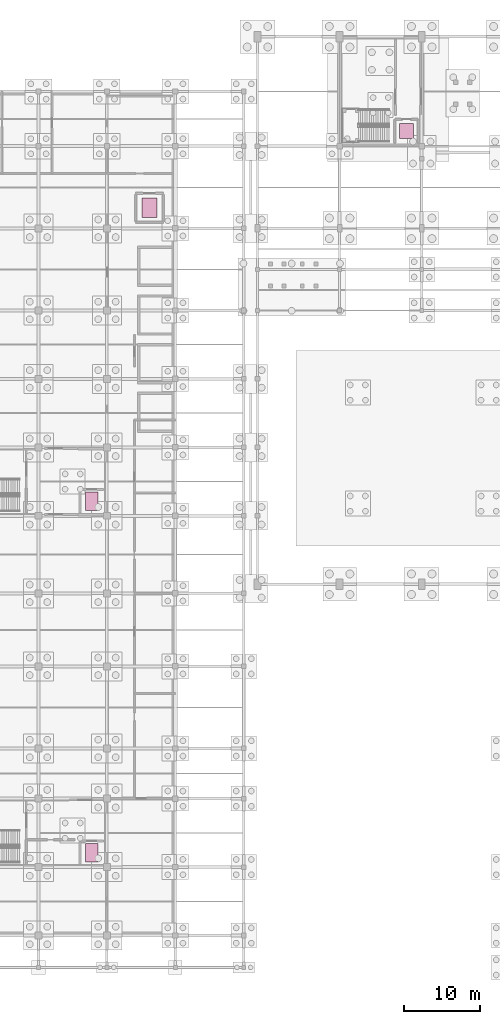
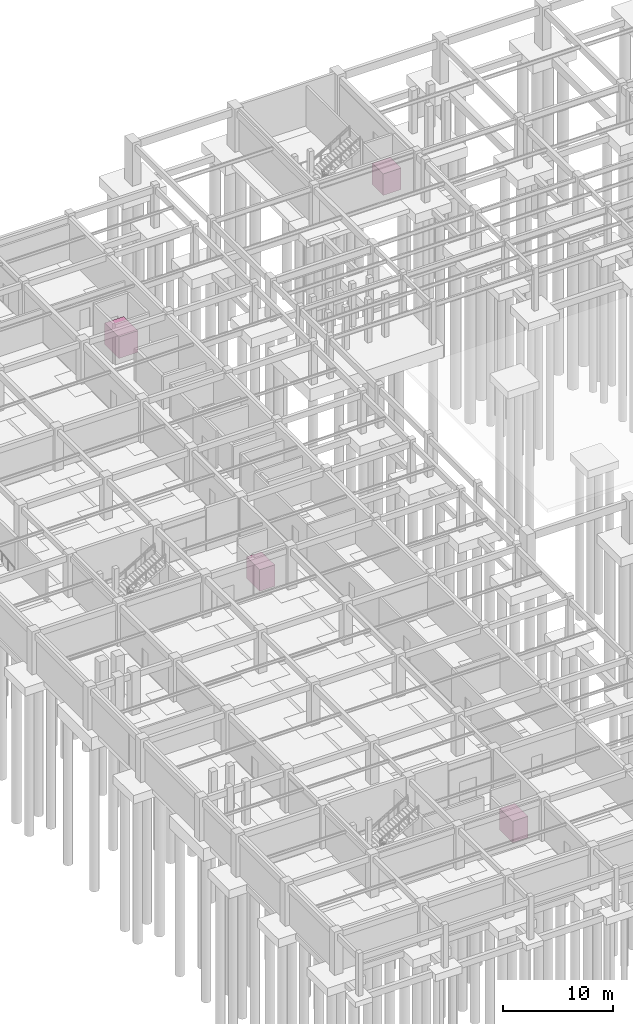
# One storey, part 33 of 33: 4 transport elements.
"""IFC4 building model written with IfcOpenShell, lengths in metres."""

import ifcopenshell
import ifcopenshell.guid

model = None  # the IFC model being written
_history = None  # IfcOwnerHistory: only IFC2X3 demands one
_inside = {}  # id of a spatial element -> (the spatial element, [elements in it])
_under = {}  # id of a project, library or spatial element -> (it, [spatial elements below it])
_declared = {}  # id of a project -> (the project, [libraries it declares])
_typed = {}  # id of a type object -> (the type object, [elements of that type])
_made_of = {}  # id of a material, layer set ... -> (it, [elements and type objects made of it])


def new_model(schema):
    """Start an empty IFC model of exactly this schema.

    Asked for "IFC4X3", IfcOpenShell would pick the latest addendum, in which some entities
    have other attributes; the version numbers below select the first issue.
    IFC2X3 requires an IfcOwnerHistory on every rooted entity: one is made here for all.
    """
    global model, _history
    if schema == "IFC4X3":
        model = ifcopenshell.file(schema_version=(4, 3, 0, 0))
    else:
        model = ifcopenshell.file(schema=schema)
    _inside.clear()
    _under.clear()
    _declared.clear()
    _typed.clear()
    _made_of.clear()
    _history = None
    if model.schema == "IFC2X3":
        org = make("IfcOrganization", Name="unknown")
        user = make(
            "IfcPersonAndOrganization",
            ThePerson=make("IfcPerson", FamilyName="unknown"),
            TheOrganization=org,
        )
        app = make(
            "IfcApplication",
            ApplicationDeveloper=org,
            Version="unknown",
            ApplicationFullName="unknown",
            ApplicationIdentifier="unknown",
        )
        _history = make(
            "IfcOwnerHistory",
            OwningUser=user,
            OwningApplication=app,
            ChangeAction="ADDED",
            CreationDate=0,
        )
    return model


def make(cls, **values):
    """One entity of the class cls with the attributes given. An attribute that is None is left unset."""
    return model.create_entity(
        cls, **{name: value for name, value in values.items() if value is not None}
    )


def rooted(cls, **values):
    """An entity with a GlobalId (a new one), such as an element, a storey or a relation."""
    return make(cls, GlobalId=ifcopenshell.guid.new(), OwnerHistory=_history, **values)


def si_unit(unit_type, name, prefix=None):
    """IfcSIUnit, for example si_unit("LENGTHUNIT", "METRE", prefix="MILLI")."""
    return make("IfcSIUnit", UnitType=unit_type, Prefix=prefix, Name=name)


def assignment(units):
    """IfcUnitAssignment: the units of a project."""
    return None if units is None else make("IfcUnitAssignment", Units=units)


def point(xyz):
    """IfcCartesianPoint."""
    return None if xyz is None else make("IfcCartesianPoint", Coordinates=xyz)


def direction(xyz):
    """IfcDirection."""
    return None if xyz is None else make("IfcDirection", DirectionRatios=xyz)


def frame(location, z_axis=None, x_axis=None):
    """IfcAxis2Placement3D, a coordinate frame: its origin and axes. An axis left out is left unset."""
    return make(
        "IfcAxis2Placement3D",
        Location=point(location),
        Axis=direction(z_axis),
        RefDirection=direction(x_axis),
    )


def frame_2d(location, x_axis=None):
    """IfcAxis2Placement2D, a coordinate frame in the plane: its origin and x axis."""
    return make(
        "IfcAxis2Placement2D", Location=point(location), RefDirection=direction(x_axis)
    )


def origin():
    """The frame at (0, 0, 0) with its axes left unset."""
    return frame((0.0, 0.0, 0.0))


def origin_2d():
    """The frame at (0, 0) in the plane with its x axis left unset."""
    return frame_2d((0.0, 0.0))


def place(relative_to, where):
    """IfcLocalPlacement: puts the frame where relative to a parent placement (None: the world)."""
    return make(
        "IfcLocalPlacement", PlacementRelTo=relative_to, RelativePlacement=where
    )


def context(
    kind, dimensions, precision=None, world=None, true_north=None, identifier=None
):
    """IfcGeometricRepresentationContext, for example the 3D "Model" context."""
    return make(
        "IfcGeometricRepresentationContext",
        ContextIdentifier=identifier,
        ContextType=kind,
        CoordinateSpaceDimension=dimensions,
        Precision=precision,
        WorldCoordinateSystem=world,
        TrueNorth=true_north,
    )


def subcontext(parent, identifier, kind, view, scale=None):
    """IfcGeometricRepresentationSubContext, for example "Body" below "Model"."""
    return make(
        "IfcGeometricRepresentationSubContext",
        ContextIdentifier=identifier,
        ContextType=kind,
        ParentContext=parent,
        TargetScale=scale,
        TargetView=view,
    )


def project(units=None, contexts=None):
    """IfcProject with its units and contexts."""
    return rooted(
        "IfcProject",
        Name="project",
        RepresentationContexts=contexts,
        UnitsInContext=assignment(units),
    )


def spatial(cls, under=None, at=None, **own):
    """A site, building, storey or space (cls), placed at a placement, below another one or the project."""
    s = rooted(cls, ObjectPlacement=at, **own)
    if under is not None:
        _under.setdefault(under.id(), (under, []))[1].append(s)
    return s


def profile(cls, at=None, kind="AREA", **sizes):
    """A parametric profile (cls). Its sizes go by their IFC names, for example OverallWidth=200.0."""
    return make(cls, ProfileType=kind, Position=at, **sizes)


def rectangle(**sizes):
    """IfcRectangleProfileDef."""
    return profile("IfcRectangleProfileDef", **sizes)


def extrude(swept, where, along, depth):
    """IfcExtrudedAreaSolid: the profile swept, set in the frame where, extruded along a direction by depth."""
    return make(
        "IfcExtrudedAreaSolid",
        SweptArea=swept,
        Position=where,
        ExtrudedDirection=direction(along),
        Depth=depth,
    )


def shape(context_of_items, identifier, shape_type, items):
    """IfcShapeRepresentation: the items that make up one representation, for example the "Body"."""
    return make(
        "IfcShapeRepresentation",
        ContextOfItems=context_of_items,
        RepresentationIdentifier=identifier,
        RepresentationType=shape_type,
        Items=items,
    )


def material(Name=None, Category=None):
    """IfcMaterial."""
    return make("IfcMaterial", Name=Name, Category=Category)


def made_of(thing, what):
    """Note that an element or type object is made of a material, layer set ...; save() writes the relation."""
    if what is not None:
        _made_of.setdefault(what.id(), (what, []))[1].append(thing)
    return thing


def type_object(cls, material=None, **own):
    """A type object (cls), such as IfcWallType, which elements share."""
    return made_of(rooted(cls, **own), material)


def element(
    cls,
    number,
    at=None,
    inside=None,
    cuts=None,
    type_object=None,
    material=None,
    context=None,
    identifier="Body",
    shape_type=None,
    held_by="IfcProductDefinitionShape",
    body=None,
    shapes=None,
    **own,
):
    """One element of the class cls, such as IfcWall. Its Tag is "e" and its number.

    at: its placement. inside: the storey or other place that contains it. cuts: it is an
    opening in that element (IfcRelVoidsElement). A single representation is given by context,
    identifier, shape_type and body (its items); several are given by shapes. held_by: the class
    of the entity that holds the representations. save() writes the other relations.
    """
    e = rooted(cls, Tag="e%d" % number, ObjectPlacement=at, **own)
    if body is not None:
        shapes = [shape(context, identifier, shape_type, body)]
    if shapes is not None:
        e.Representation = make(held_by, Representations=shapes)
    if inside is not None:
        _inside.setdefault(inside.id(), (inside, []))[1].append(e)
    if cuts is not None:
        rooted(
            "IfcRelVoidsElement", RelatingBuildingElement=cuts, RelatedOpeningElement=e
        )
    if type_object is not None:
        _typed.setdefault(type_object.id(), (type_object, []))[1].append(e)
    return made_of(e, material)


def aggregate(whole, parts):
    """IfcRelAggregates: a whole, such as a stair, and the parts it consists of."""
    return rooted("IfcRelAggregates", RelatingObject=whole, RelatedObjects=parts)


def save(model, path):
    """Write the relations noted so far, then the file.

    IfcRelAggregates (storeys below a building ...), IfcRelContainedInSpatialStructure (elements
    in a storey), IfcRelDefinesByType, IfcRelAssociatesMaterial and IfcRelDeclares: one each for
    every whole, place, type object, material and project.
    """
    for whole, parts in _under.values():
        aggregate(whole, parts)
    for where, things in _inside.values():
        rooted(
            "IfcRelContainedInSpatialStructure",
            RelatedElements=things,
            RelatingStructure=where,
        )
    for kind, things in _typed.values():
        rooted("IfcRelDefinesByType", RelatedObjects=things, RelatingType=kind)
    for what, things in _made_of.values():
        rooted("IfcRelAssociatesMaterial", RelatedObjects=things, RelatingMaterial=what)
    for by, libraries in _declared.values():
        rooted("IfcRelDeclares", RelatingContext=by, RelatedDefinitions=libraries)
    model.write(path)


model = new_model("IFC4")

# Units and contexts
model_context = context("Model", 3, precision=1e-05, world=origin(), true_north=direction((0.0, 1.0)))
body_context = subcontext(model_context, "Body", "Model", "MODEL_VIEW")
ifc_project = project(units=[si_unit("LENGTHUNIT", "METRE"), si_unit("AREAUNIT", "SQUARE_METRE"), si_unit("VOLUMEUNIT", "CUBIC_METRE"), si_unit("PLANEANGLEUNIT", "RADIAN"), si_unit("MASSUNIT", "GRAM", prefix="KILO")], contexts=[model_context])

# Site, building, storey
site_placement = place(None, origin())
site = spatial("IfcSite", under=ifc_project, at=site_placement, CompositionType="ELEMENT")
building_placement = place(site_placement, origin())
building = spatial("IfcBuilding", under=site, at=building_placement, Name="Suirenkawa Promenade Aquatics Centre", CompositionType="ELEMENT")
storey_placement = place(building_placement, frame((0.0, 0.0, -4.800048828125)))
storey = spatial("IfcBuildingStorey", under=building, at=storey_placement, Name="B1", CompositionType="ELEMENT", Elevation=-4.800048828125)

# Transport elements
ifc_material = material(Name="Marine-grade stainless steel Grade 316L", Category="steel")
transport_element_type_1 = type_object("IfcTransportElementType", Name="LFT-FIRE-1600x2400", PredefinedType="ELEVATOR", material=ifc_material)
transport_element_1_placement = place(storey_placement, frame((25.0, 15.10009765625, 0.0), z_axis=(0.0, 0.0, 1.0), x_axis=(1.0, 0.0, 0.0)))
element("IfcTransportElement", 1, at=transport_element_1_placement, inside=storey, type_object=transport_element_type_1, Name="Firefighting lift LF-FF1", PredefinedType="ELEVATOR", context=body_context, shape_type="SweptSolid", body=[
    extrude(rectangle(XDim=1.60009765625, YDim=2.39990234375, at=origin_2d()), origin(), (0.0, 0.0, 1.0), 2.39990234375),
])
transport_element_type_2 = type_object("IfcTransportElementType", Name="LFT-FIREB-1600x2400", PredefinedType="ELEVATOR", material=ifc_material)
transport_element_2_placement = place(storey_placement, frame((25.0, 61.300048828125, 0.0), z_axis=(0.0, 0.0, 1.0), x_axis=(1.0, 0.0, 0.0)))
element("IfcTransportElement", 2, at=transport_element_2_placement, inside=storey, type_object=transport_element_type_2, Name="Firefighting lift LF-FF2", PredefinedType="ELEVATOR", context=body_context, shape_type="SweptSolid", body=[
    extrude(rectangle(XDim=1.60009765625, YDim=2.39990234375, at=origin_2d()), origin(), (0.0, 0.0, 1.0), 2.39990234375),
])
transport_element_type_3 = type_object("IfcTransportElementType", Name="LFT-GOODS-2000x2600", PredefinedType="ELEVATOR", material=ifc_material)
transport_element_3_placement = place(storey_placement, frame((32.60009765625, 99.89990234375, 0.0), z_axis=(0.0, 0.0, 1.0), x_axis=(1.0, 0.0, 0.0)))
element("IfcTransportElement", 3, at=transport_element_3_placement, inside=storey, type_object=transport_element_type_3, Name="Goods and plant lift LF-G1", PredefinedType="ELEVATOR", context=body_context, shape_type="SweptSolid", body=[
    extrude(rectangle(XDim=2.0, YDim=2.60009765625, at=origin_2d()), origin(), (0.0, 0.0, 1.0), 2.39990234375),
])
transport_element_type_4 = type_object("IfcTransportElementType", Name="LFT-PASS-1", PredefinedType="ELEVATOR", material=ifc_material)
transport_element_4_placement = place(storey_placement, frame((66.39990234375, 110.0, 0.0), z_axis=(0.0, 0.0, 1.0), x_axis=(1.0, 0.0, 0.0)))
element("IfcTransportElement", 4, at=transport_element_4_placement, inside=storey, type_object=transport_element_type_4, Name="Passenger lift LF-P1", PredefinedType="ELEVATOR", context=body_context, shape_type="SweptSolid", body=[
    extrude(rectangle(XDim=1.89990234375, YDim=2.0, at=origin_2d()), origin(), (0.0, 0.0, 1.0), 2.39990234375),
])

save(model, "model.ifc")
